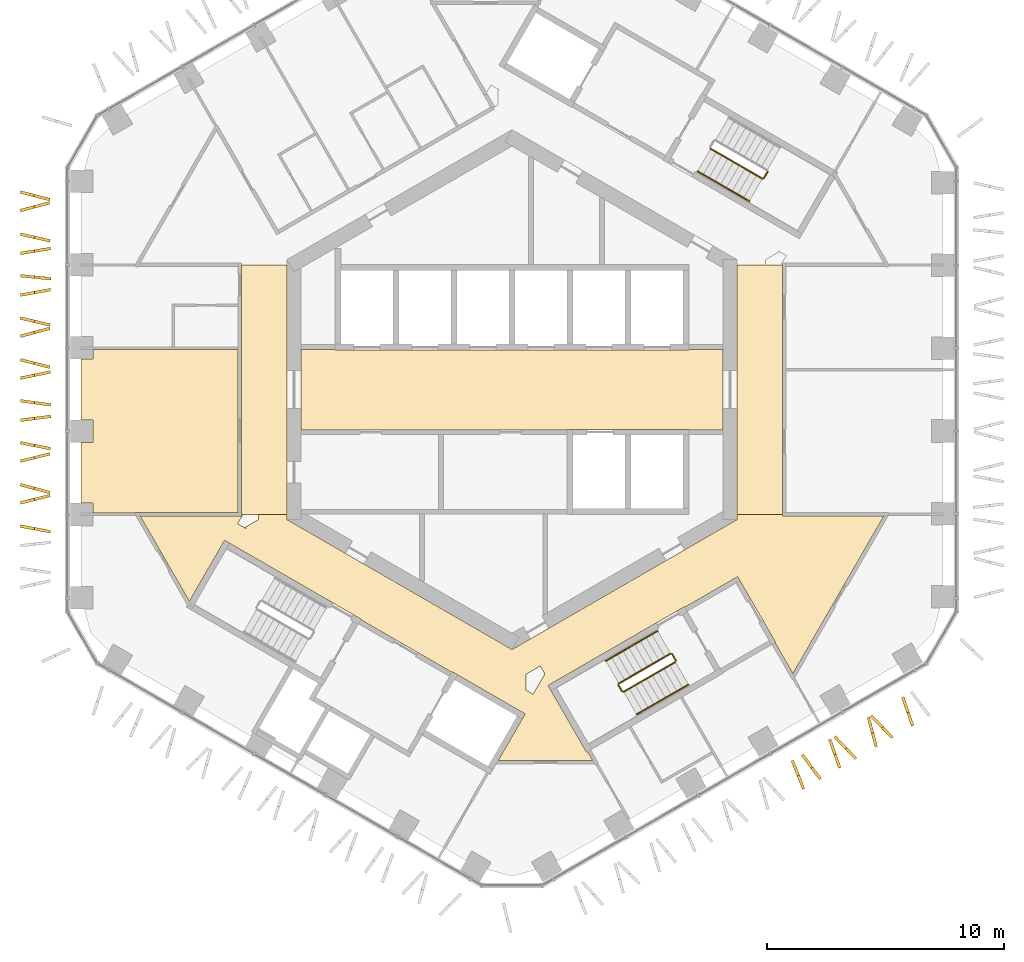
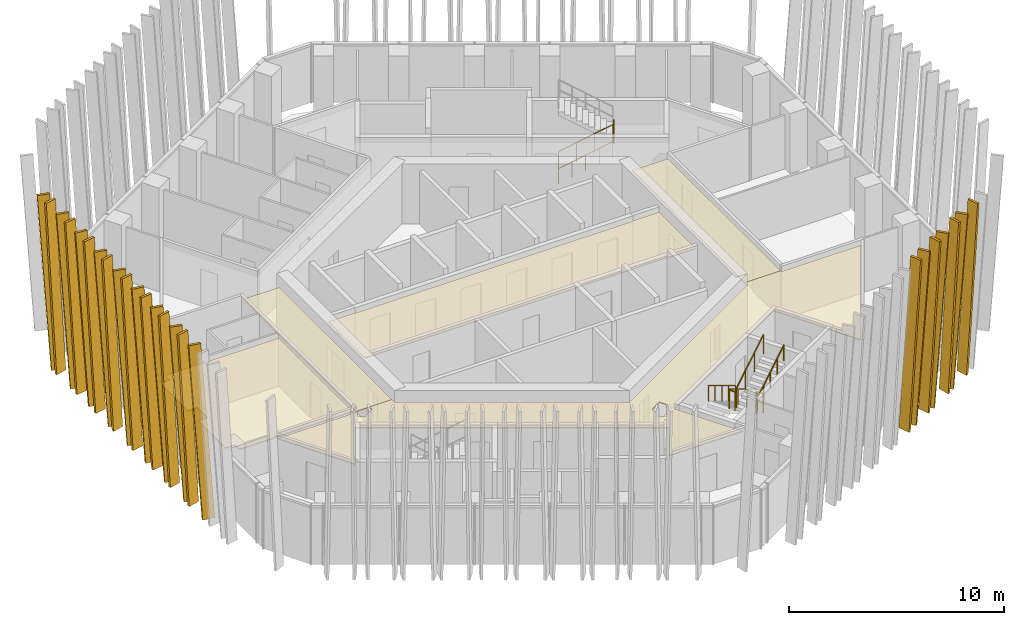
# One storey, part 19 of 21: 24 shading devices, 12 railings, 5 coverings.
"""IFC4 building model written with IfcOpenShell, lengths in metres."""

from ifc_helpers import new_model, si_unit, direction, frame, origin, origin_2d, place, context, subcontext, project, spatial, polyline, circle, outline, extrude, material, layer, layer_set, type_object, element, save


model = new_model("IFC4")

# Units and contexts
model_context = context("Model", 3, precision=1e-05, world=origin(), true_north=direction((0.0, 1.0)))
body_context = subcontext(model_context, "Body", "Model", "MODEL_VIEW")
ifc_project = project(units=[si_unit("LENGTHUNIT", "METRE"), si_unit("AREAUNIT", "SQUARE_METRE"), si_unit("VOLUMEUNIT", "CUBIC_METRE"), si_unit("PLANEANGLEUNIT", "RADIAN"), si_unit("MASSUNIT", "GRAM", prefix="KILO")], contexts=[model_context])

# Site, building, storey
site_placement = place(None, origin())
site = spatial("IfcSite", under=ifc_project, at=site_placement, CompositionType="ELEMENT")
building_placement = place(site_placement, origin())
building = spatial("IfcBuilding", under=site, at=building_placement, Name="Ayvan Gate Tower", CompositionType="ELEMENT")
storey_placement = place(building_placement, frame((0.0, 0.0, 152.699951171875)))
storey = spatial("IfcBuildingStorey", under=building, at=storey_placement, Name="L40", CompositionType="ELEMENT", Elevation=152.699951171875)

# Shading devices
ifc_material_1 = material(Name="Bronze anodised aluminium", Category="aluminium")
ifc_layer_1 = layer(ifc_material_1, 0.1201171875)
ifc_layer_set_1 = layer_set([ifc_layer_1], Name="Bronze anodised aluminium")
shading_device_type = type_object("IfcShadingDeviceType", Name="Bronze fin 600 x 120", PredefinedType="USERDEFINED", material=ifc_layer_set_1)
shading_device_1_placement = place(storey_placement, frame((-19.48779296875, 8.073486328125, 0.0), z_axis=(0.253100983947, 0.967439854235, 0.000142698094), x_axis=(-0.967439864085, 0.253100986525, -7.35e-09)))
element("IfcShadingDevice", 1, at=shading_device_1_placement, inside=storey, type_object=shading_device_type, Name="Bronze fin FG15.3.22", ObjectType="FIN", PredefinedType="USERDEFINED", context=body_context, shape_type="SweptSolid", body=[
    extrude(outline(polyline([(0.0, 0.0), (0.5998616627313711, -3.3881317890172014e-21), (1.2884129381110994, 10.080078237098515), (0.6883150840066606, 10.080078228279145), (0.0, 0.0)])), origin(), (0.0, 0.0, -1.0), 0.1201171875),
])
shading_device_2_placement = place(storey_placement, frame((-19.51904296875, 7.946533203125, 0.0), z_axis=(-0.255154257897, 0.966900345716, 0.000161652253), x_axis=(-0.966900358349, -0.255154261231, 0.0)))
element("IfcShadingDevice", 2, at=shading_device_2_placement, inside=storey, type_object=shading_device_type, Name="Bronze fin FG15.3.23", ObjectType="FIN", PredefinedType="USERDEFINED", context=body_context, shape_type="SweptSolid", body=[
    extrude(outline(polyline([(0.0, 0.0), (0.5999357844798227, 3.3881317890172014e-21), (1.2884234480918992, 10.080078256703537), (0.6884876636120767, 10.080078256703537), (0.0, 0.0)])), origin(), (0.0, 0.0, -1.0), 0.1201171875),
])
shading_device_3_placement = place(storey_placement, frame((-19.47802734375, 6.33544921875, 0.0), z_axis=(0.221409997531, 0.975180797948, 0.000155908983), x_axis=(-0.9751808098, 0.221410000222, 0.0)))
element("IfcShadingDevice", 3, at=shading_device_3_placement, inside=storey, type_object=shading_device_type, Name="Bronze fin FG15.3.24", ObjectType="FIN", PredefinedType="USERDEFINED", context=body_context, shape_type="SweptSolid", body=[
    extrude(outline(polyline([(0.0, 0.0), (0.5998486963869547, 3.3881317890172014e-21), (1.2882163203850765, 10.08007824751131), (0.6883676239981219, 10.08007824751131), (0.0, 0.0)])), origin(), (0.0, 0.0, -1.0), 0.1201171875),
])
shading_device_4_placement = place(storey_placement, frame((-19.482421875, 6.015380859375, 0.0), z_axis=(-0.158292031642, 0.987392325909, 0.000165693315), x_axis=(-0.987392339463, -0.158292033814, -5.335e-09)))
element("IfcShadingDevice", 4, at=shading_device_4_placement, inside=storey, type_object=shading_device_type, Name="Bronze fin FG15.3.25", ObjectType="FIN", PredefinedType="USERDEFINED", context=body_context, shape_type="SweptSolid", body=[
    extrude(outline(polyline([(0.0, 0.0), (0.600091994392418, 0.0), (1.2882344649545254, 10.080078270243698), (0.6883835331449842, 10.08007826384168), (0.0, 0.0)])), origin(), (0.0, 0.0, -1.0), 0.1201171875),
])
shading_device_5_placement = place(storey_placement, frame((-19.45556640625, 4.736572265625, 0.0), z_axis=(0.1025451186, 0.994728342931, 0.000149733801), x_axis=(-0.994728354082, 0.102545119749, 3.123e-09)))
element("IfcShadingDevice", 5, at=shading_device_5_placement, inside=storey, type_object=shading_device_type, Name="Bronze fin FG15.3.26", ObjectType="FIN", PredefinedType="USERDEFINED", context=body_context, shape_type="SweptSolid", body=[
    extrude(outline(polyline([(0.0, 0.0), (0.6000859853292091, 1.6940658945086007e-21), (1.2883753972067538, 10.080078233974595), (0.6885322654796158, 10.080078237722487), (0.0, 0.0)])), origin(), (0.0, 0.0, -1.0), 0.1201171875),
])
shading_device_6_placement = place(storey_placement, frame((-19.48828125, 4.279052734375, 0.0), z_axis=(-0.177184523139, 0.984177638284, 0.000145125193), x_axis=(-0.984177648648, -0.177184525009, 2.9054e-08)))
element("IfcShadingDevice", 6, at=shading_device_6_placement, inside=storey, type_object=shading_device_type, Name="Bronze fin FG15.3.27", ObjectType="FIN", PredefinedType="USERDEFINED", context=body_context, shape_type="SweptSolid", body=[
    extrude(outline(polyline([(0.0, 0.0), (0.60009233031793, 1.6940658945086007e-21), (1.2884683513300816, 10.080078193714526), (0.6884192789528275, 10.080078228583622), (0.0, 0.0)])), origin(), (0.0, 0.0, -1.0), 0.1201171875),
])
shading_device_7_placement = place(storey_placement, frame((-19.481201171875, 2.781982421875, 0.0), z_axis=(0.232518829993, 0.972591886438, 0.000127019666), x_axis=(-0.972591894285, 0.232518831865, 3.1135e-08)))
element("IfcShadingDevice", 7, at=shading_device_7_placement, inside=storey, type_object=shading_device_type, Name="Bronze fin FG15.3.28", ObjectType="FIN", PredefinedType="USERDEFINED", context=body_context, shape_type="SweptSolid", body=[
    extrude(outline(polyline([(0.0, 0.0), (0.6001551445872628, 0.0), (1.2884341023645014, 10.080078166200988), (0.6884596396772434, 10.080078203566641), (0.0, 0.0)])), origin(), (0.0, 0.0, -1.0), 0.1201171875),
])
shading_device_8_placement = place(storey_placement, frame((-19.520263671875, 2.642822265625, 0.0), z_axis=(-0.257966534418, 0.966153842232, 0.000142338607), x_axis=(-0.96615385202, -0.25796653703, -7.469e-09)))
element("IfcShadingDevice", 8, at=shading_device_8_placement, inside=storey, type_object=shading_device_type, Name="Bronze fin FG15.3.29", ObjectType="FIN", PredefinedType="USERDEFINED", context=body_context, shape_type="SweptSolid", body=[
    extrude(outline(polyline([(0.0, 0.0), (0.6001382282773703, 3.3881317890172014e-21), (1.2883608719476327, 10.080078236734977), (0.6884585210755406, 10.080078227772237), (0.0, 0.0)])), origin(), (0.0, 0.0, -1.0), 0.1201171875),
])
shading_device_9_placement = place(storey_placement, frame((-19.486083984375, 1.001708984375, 0.0), z_axis=(0.247988661203, 0.968762924241, 0.000143284322), x_axis=(-0.968762934187, 0.247988663745, 2.824e-08)))
element("IfcShadingDevice", 9, at=shading_device_9_placement, inside=storey, type_object=shading_device_type, Name="Bronze fin FG15.3.30", ObjectType="FIN", PredefinedType="USERDEFINED", context=body_context, shape_type="SweptSolid", body=[
    extrude(outline(polyline([(0.0, 0.0), (0.6000121197556565, 0.0), (1.2884238379559536, 10.080078192088791), (0.6883511740929374, 10.080078225979305), (0.0, 0.0)])), origin(), (0.0, 0.0, -1.0), 0.1201171875),
])
shading_device_10_placement = place(storey_placement, frame((-19.498046875, 0.805908203125, 0.0), z_axis=(-0.204482351041, 0.978870239658, 0.000148405088), x_axis=(-0.978870250438, -0.204482353289, -2.3388e-08)))
element("IfcShadingDevice", 10, at=shading_device_10_placement, inside=storey, type_object=shading_device_type, Name="Bronze fin FG15.3.31", ObjectType="FIN", PredefinedType="USERDEFINED", context=body_context, shape_type="SweptSolid", body=[
    extrude(outline(polyline([(0.0, 0.0), (0.5998127670057372, 3.3881317890172014e-21), (1.2882686428026684, 10.080078266132805), (0.6881669713526617, 10.08007823806865), (0.0, 0.0)])), origin(), (0.0, 0.0, -1.0), 0.1201171875),
])
shading_device_11_placement = place(storey_placement, frame((-19.459716796875, -0.585693359375, 0.0), z_axis=(0.136293206526, 0.990668531016, 0.000153325768), x_axis=(-0.990668542661, 0.136293208128, 0.0)))
element("IfcShadingDevice", 11, at=shading_device_11_placement, inside=storey, type_object=shading_device_type, Name="Bronze fin FG15.3.32", ObjectType="FIN", PredefinedType="USERDEFINED", context=body_context, shape_type="SweptSolid", body=[
    extrude(outline(polyline([(0.0, 0.0), (0.6000820620367548, 0.0), (1.288423551506328, 10.080078243485229), (0.6883414894695731, 10.080078243485229), (0.0, 0.0)])), origin(), (0.0, 0.0, -1.0), 0.1201171875),
])
shading_device_12_placement = place(storey_placement, frame((-19.47314453125, -1.070068359375, 0.0), z_axis=(-0.124911033517, 0.992167932349, 0.00016650316), x_axis=(-0.992167946103, -0.124911035248, -4.23e-09)))
element("IfcShadingDevice", 12, at=shading_device_12_placement, inside=storey, type_object=shading_device_type, Name="Bronze fin FG15.3.33", ObjectType="FIN", PredefinedType="USERDEFINED", context=body_context, shape_type="SweptSolid", body=[
    extrude(outline(polyline([(0.0, 0.0), (0.6001575459875874, 0.0), (1.2883764093414127, 10.080078270176712), (0.6884610918562917, 10.080078265100079), (0.0, 0.0)])), origin(), (0.0, 0.0, -1.0), 0.1201171875),
])
shading_device_13_placement = place(storey_placement, frame((-19.47119140625, -2.432861328125, 0.0), z_axis=(0.195724855459, 0.980658839202, 0.00014849227), x_axis=(-0.980658850014, 0.195724857617, 0.0)))
element("IfcShadingDevice", 13, at=shading_device_13_placement, inside=storey, type_object=shading_device_type, Name="Bronze fin FG15.3.34", ObjectType="FIN", PredefinedType="USERDEFINED", context=body_context, shape_type="SweptSolid", body=[
    extrude(outline(polyline([(0.0, 0.0), (0.5999832727166862, 0.0), (1.2885449939685552, 10.080078236132632), (0.6885617212518688, 10.080078236132632), (0.0, 0.0)])), origin(), (0.0, 0.0, -1.0), 0.1201171875),
])
shading_device_14_placement = place(storey_placement, frame((-19.513916015625, -2.64990234375, 0.0), z_axis=(-0.243349414767, 0.969938679093, 0.000145367677), x_axis=(-0.969938689341, -0.243349417339, 7.199e-09)))
element("IfcShadingDevice", 14, at=shading_device_14_placement, inside=storey, type_object=shading_device_type, Name="Bronze fin FG15.3.35", ObjectType="FIN", PredefinedType="USERDEFINED", context=body_context, shape_type="SweptSolid", body=[
    extrude(outline(polyline([(0.0, 0.0), (0.5998258906905788, 0.0), (1.2883538376380734, 10.080078222229815), (0.6882911455096674, 10.080078230868029), (0.0, 0.0)])), origin(), (0.0, 0.0, -1.0), 0.1201171875),
])
shading_device_15_placement = place(storey_placement, frame((-19.48974609375, -4.28564453125, 0.0), z_axis=(0.258776757555, 0.965937142195, 0.000164554121), x_axis=(-0.965937155273, 0.258776761059, 0.0)))
element("IfcShadingDevice", 15, at=shading_device_15_placement, inside=storey, type_object=shading_device_type, Name="Bronze fin FG15.3.36", ObjectType="FIN", PredefinedType="USERDEFINED", context=body_context, shape_type="SweptSolid", body=[
    extrude(outline(polyline([(0.0, 0.0), (0.6000285221314199, 0.0), (1.2883279230989633, 10.080078261474478), (0.6882994009675433, 10.080078261474478), (0.0, 0.0)])), origin(), (0.0, 0.0, -1.0), 0.1201171875),
])
shading_device_16_placement = place(storey_placement, frame((-19.51171875, -4.414306640625, 0.0), z_axis=(-0.238464135063, 0.971151294075, 0.000142498348), x_axis=(-0.971151303935, -0.238464137483, -6.913e-09)))
element("IfcShadingDevice", 16, at=shading_device_16_placement, inside=storey, type_object=shading_device_type, Name="Bronze fin FG15.3.37", ObjectType="FIN", PredefinedType="USERDEFINED", context=body_context, shape_type="SweptSolid", body=[
    extrude(outline(polyline([(0.0, 0.0), (0.6000679069965049, 0.0), (1.2882388951242483, 10.080078236247028), (0.6884080856140555, 10.080078227952587), (0.0, 0.0)])), origin(), (0.0, 0.0, -1.0), 0.1201171875),
])
shading_device_17_placement = place(storey_placement, frame((-19.468994140625, -5.939697265625, 0.0), z_axis=(0.186364123048, 0.98248073166, 0.000159868904), x_axis=(-0.982480744215, 0.186364125429, 6.06e-09)))
element("IfcShadingDevice", 17, at=shading_device_17_placement, inside=storey, type_object=shading_device_type, Name="Bronze fin FG15.3.38", ObjectType="FIN", PredefinedType="USERDEFINED", context=body_context, shape_type="SweptSolid", body=[
    extrude(outline(polyline([(0.0, 0.0), (0.6001088297669654, 0.0), (1.2883845557293379, 10.08007824600544), (0.6885155894253155, 10.08007825327787), (0.0, 0.0)])), origin(), (0.0, 0.0, -1.0), 0.1201171875),
])
shading_device_18_placement = place(storey_placement, frame((11.774169921875, -15.67431640625, 0.0), z_axis=(-0.930233803803, -0.366967369793, 0.00014060171), x_axis=(0.366967373418, -0.930233812999, -1.0494e-08)))
element("IfcShadingDevice", 18, at=shading_device_18_placement, inside=storey, type_object=shading_device_type, Name="Bronze fin FG15.7.76", ObjectType="FIN", PredefinedType="USERDEFINED", context=body_context, shape_type="SweptSolid", body=[
    extrude(outline(polyline([(0.0, 0.0), (0.600207348914012, -3.3881317890172014e-21), (1.2884051577885494, 10.080078238155815), (0.6884249167390395, 10.08007822556146), (0.0, 0.0)])), origin(), (0.0, 0.0, -1.0), 0.1201171875),
])
shading_device_19_placement = place(storey_placement, frame((12.198486328125, -15.439697265625, 0.0), z_axis=(-0.803744581553, -0.59497446999, 0.000166389257), x_axis=(0.594974478226, -0.803744592679, 0.0)))
element("IfcShadingDevice", 19, at=shading_device_19_placement, inside=storey, type_object=shading_device_type, Name="Bronze fin FG15.7.77", ObjectType="FIN", PredefinedType="USERDEFINED", context=body_context, shape_type="SweptSolid", body=[
    extrude(outline(polyline([(0.0, 0.0), (0.599914125416545, 1.3552527156068805e-20), (1.2882472102536546, 10.080078264535421), (0.6883330848371098, 10.080078264535421), (0.0, 0.0)])), origin(), (0.0, 0.0, -1.0), 0.1201171875),
])
shading_device_20_placement = place(storey_placement, frame((13.350830078125, -14.77294921875, 0.0), z_axis=(-0.944070631063, -0.329743265019, 0.000150791078), x_axis=(0.329743268774, -0.944070641795, 3.9078e-08)))
element("IfcShadingDevice", 20, at=shading_device_20_placement, inside=storey, type_object=shading_device_type, Name="Bronze fin FG15.7.78", ObjectType="FIN", PredefinedType="USERDEFINED", context=body_context, shape_type="SweptSolid", body=[
    extrude(outline(polyline([(0.0, 0.0), (0.6000160351413332, 1.0164395367051604e-20), (1.2883801652478903, 10.080078189253248), (0.6882141478377533, 10.080078236153584), (0.0, 0.0)])), origin(), (0.0, 0.0, -1.0), 0.1201171875),
])
shading_device_21_placement = place(storey_placement, frame((13.578857421875, -14.690185546875, 0.0), z_axis=(-0.722000899963, -0.691892099401, 0.000152440417), x_axis=(0.691892107441, -0.722000908352, 9.33e-10)))
element("IfcShadingDevice", 21, at=shading_device_21_placement, inside=storey, type_object=shading_device_type, Name="Bronze fin FG15.7.79", ObjectType="FIN", PredefinedType="USERDEFINED", context=body_context, shape_type="SweptSolid", body=[
    extrude(outline(polyline([(0.0, 0.0), (0.6002099821976611, 0.0), (1.2884504493487379, 10.080078240918107), (0.6885856558756356, 10.080078242038342), (0.0, 0.0)])), origin(), (0.0, 0.0, -1.0), 0.1201171875),
])
shading_device_22_placement = place(storey_placement, frame((14.984375, -13.853515625, 0.0), z_axis=(-0.965937143157, -0.258776757813, 0.000158385066), x_axis=(0.258776761059, -0.965937155273, 0.0)))
element("IfcShadingDevice", 22, at=shading_device_22_placement, inside=storey, type_object=shading_device_type, Name="Bronze fin FG15.7.80", ObjectType="FIN", PredefinedType="USERDEFINED", context=body_context, shape_type="SweptSolid", body=[
    extrude(outline(polyline([(0.0, 0.0), (0.6000285221314199, 3.3881317890172014e-21), (1.2884417625589109, 10.080078251433559), (0.688413240427491, 10.080078251433559), (0.0, 0.0)])), origin(), (0.0, 0.0, -1.0), 0.1201171875),
])
shading_device_23_placement = place(storey_placement, frame((15.114501953125, -13.805908203125, 0.0), z_axis=(-0.718608693893, -0.695414642052, 0.000143811211), x_axis=(0.695414649243, -0.718608701324, 0.0)))
element("IfcShadingDevice", 23, at=shading_device_23_placement, inside=storey, type_object=shading_device_type, Name="Bronze fin FG15.7.81", ObjectType="FIN", PredefinedType="USERDEFINED", context=body_context, shape_type="SweptSolid", body=[
    extrude(outline(polyline([(0.0, 0.0), (0.5999820805893713, -6.776263578034403e-21), (1.2883406205891652, 10.080078229236397), (0.688358539999794, 10.080078229236397), (0.0, 0.0)])), origin(), (0.0, 0.0, -1.0), 0.1201171875),
])
shading_device_24_placement = place(storey_placement, frame((16.435791015625, -12.99365234375, 0.0), z_axis=(-0.946380191382, -0.323054975046, 0.00012828514), x_axis=(0.323054977705, -0.94638019917, 0.0)))
element("IfcShadingDevice", 24, at=shading_device_24_placement, inside=storey, type_object=shading_device_type, Name="Bronze fin FG15.7.82", ObjectType="FIN", PredefinedType="USERDEFINED", context=body_context, shape_type="SweptSolid", body=[
    extrude(outline(polyline([(0.0, 0.0), (0.6000454090737131, 0.0), (1.2885010611153929, 10.080078207944313), (0.6884556520416798, 10.080078207944313), (0.0, 0.0)])), origin(), (0.0, 0.0, -1.0), 0.1201171875),
])

# Coverings
ifc_material_2 = material(Name="Plasterboard suspended ceiling")
ifc_layer_2 = layer(ifc_material_2, 0.050048828125)
ifc_layer_set_2 = layer_set([ifc_layer_2], Name="Plasterboard suspended ceiling")
covering_type = type_object("IfcCoveringType", Name="CT-SUSP-50", PredefinedType="CEILING", material=ifc_layer_set_2)
covering_1_placement = place(storey_placement, frame((0.0, 0.0, 2.699951171875)))
element("IfcCovering", 25, at=covering_1_placement, inside=storey, type_object=covering_type, Name="Ceiling Lift Lobby L40", PredefinedType="CEILING", context=body_context, shape_type="SweptSolid", body=[
    extrude(outline(polyline([(7.47509765625, -1.675048828125), (2.324951171875, -1.675048828125), (2.324951171875, -1.699951171875), (-8.89990234375, -1.699951171875), (-8.89990234375, 1.699951171875), (-7.47509765625, 1.699951171875), (-7.47509765625, 1.675048828125), (7.47509765625, 1.675048828125), (7.47509765625, 1.699951171875), (8.89990234375, 1.699951171875), (8.89990234375, -1.699951171875), (7.47509765625, -1.699951171875), (7.47509765625, -1.675048828125)])), origin(), (0.0, 0.0, 1.0), 0.050048828125),
])
covering_2_placement = place(storey_placement, frame((0.0, 0.0, 2.699951171875)))
element("IfcCovering", 26, at=covering_2_placement, inside=storey, type_object=covering_type, Name="Ceiling Gallery L40", PredefinedType="CEILING", context=body_context, shape_type="SweptSolid", body=[
    extrude(outline(polyline([(-11.914794921875, -6.48681640625), (-12.131103515625, -6.36181640625), (-13.617431640625, -8.935791015625), (-15.69580078125, -5.335693359375), (-11.4248046875, -5.335693359375), (-11.4248046875, -5.2607421875), (-11.351318359375, -5.2607421875), (-11.39453125, -5.335693359375), (-11.396240234375, -5.3388671875), (-11.421142578125, -5.382080078125), (-11.580322265625, -5.65771484375), (-11.2294921875, -5.8603515625), (-11.259765625, -5.80810546875), (-10.699951171875, -5.48486328125), (-10.699951171875, -5.2607421875), (-9.5, -5.2607421875), (-9.5, -5.48486328125), (0.0, -10.9697265625), (8.38720703125, -6.127197265625), (9.5, -5.48486328125), (9.5, -5.2607421875), (11.4248046875, -5.2607421875), (11.4248046875, -5.335693359375), (15.69580078125, -5.335693359375), (11.8564453125, -11.98583984375), (11.102294921875, -10.6796875), (11.123779296875, -10.667236328125), (9.623779296875, -8.069091796875), (9.52392578125, -7.89599609375), (7.2939453125, -9.183349609375), (7.281494140625, -9.16162109375), (1.522216796875, -12.48681640625), (1.647216796875, -12.703369140625), (3.147216796875, -15.30126953125), (3.190673828125, -15.2763671875), (3.41259765625, -15.660888671875), (-0.58349609375, -15.660888671875), (0.43115234375, -13.9033203125), (0.55615234375, -13.686767578125), (-2.284423828125, -12.046630859375), (-2.518310546875, -11.91162109375), (-2.53076171875, -11.933349609375), (-6.384521484375, -9.70849609375), (-6.3720703125, -9.686767578125), (-11.91455078125, -6.48681640625), (-11.914794921875, -6.48681640625)]), holes=[polyline([(0.53955078125, -12.6552734375), (0.890380859375, -12.85791015625), (1.385498046875, -12.0), (1.193115234375, -11.66650390625), (0.60009765625, -12.0087890625), (0.60009765625, -12.6552734375), (0.53955078125, -12.6552734375)])]), origin(), (0.0, 0.0, 1.0), 0.050048828125),
])
covering_3_placement = place(storey_placement, frame((0.0, 0.0, 2.699951171875)))
element("IfcCovering", 27, at=covering_3_placement, inside=storey, type_object=covering_type, Name="Ceiling Lift Lounge Lobby L40", PredefinedType="CEILING", context=body_context, shape_type="SweptSolid", body=[
    extrude(outline(polyline([(11.4248046875, -5.2607421875), (9.5, -5.2607421875), (9.5, 5.2607421875), (11.425048828125, 5.2607421875), (11.425048828125, -5.185791015625), (11.4248046875, -5.185791015625), (11.4248046875, -5.2607421875)])), origin(), (0.0, 0.0, 1.0), 0.050048828125),
])
covering_4_placement = place(storey_placement, frame((0.0, 0.0, 2.699951171875)))
element("IfcCovering", 28, at=covering_4_placement, inside=storey, type_object=covering_type, Name="Ceiling Lift Lounge Lobby L40", PredefinedType="CEILING", context=body_context, shape_type="SweptSolid", body=[
    extrude(outline(polyline([(-11.4248046875, -5.185791015625), (-11.425048828125, 5.2607421875), (-9.5, 5.2607421875), (-9.5, -5.2607421875), (-11.4248046875, -5.2607421875), (-11.4248046875, -5.185791015625)])), origin(), (0.0, 0.0, 1.0), 0.050048828125),
])
covering_5_placement = place(storey_placement, frame((0.0, 0.0, 2.699951171875)))
element("IfcCovering", 29, at=covering_5_placement, inside=storey, type_object=covering_type, Name="Ceiling Shared Kitchen L40", PredefinedType="CEILING", context=body_context, shape_type="SweptSolid", body=[
    extrude(outline(polyline([(-17.681884765625, -2.23193359375), (-17.681884765625, -1.281982421875), (-18.1865234375, -1.281982421875), (-18.1865234375, 1.281982421875), (-17.681884765625, 1.281982421875), (-17.681884765625, 1.70361328125), (-11.574951171875, 1.70361328125), (-11.574951171875, -5.185791015625), (-15.90087890625, -5.185791015625), (-15.90087890625, -5.210693359375), (-17.681884765625, -5.210693359375), (-17.681884765625, -4.7958984375), (-18.1865234375, -4.7958984375), (-18.1865234375, -2.23193359375), (-17.681884765625, -2.23193359375)])), origin(), (0.0, 0.0, 1.0), 0.050048828125),
])

# Railings
ifc_material_3 = material(Name="Stainless steel balustrade", Category="steel")
railing_type_1 = type_object("IfcRailingType", Name="RL-GUARD-1100", PredefinedType="GUARDRAIL", material=ifc_material_3)
railing_1_placement = place(storey_placement, frame((8.381103515625, 10.16650390625, 0.170166015625)))
element("IfcRailing", 30, at=railing_1_placement, inside=storey, type_object=railing_type_1, Name="L40 STS1 stair guard 1", PredefinedType="GUARDRAIL", context=body_context, shape_type="SweptSolid", body=[
    extrude(circle(Radius=0.02392578125, at=origin_2d()), frame((0.0, 0.0, 1.076171875), z_axis=(0.740292969978, -0.427413806696, 0.51892557891), x_axis=(0.500004791531, 0.866022637375, 0.0)), (0.0, 0.0, 1.0), 2.947998046875),
    extrude(circle(Radius=0.02099609375, at=origin_2d()), origin(), (0.0, 0.0, 1.0), 1.052001953125),
    extrude(circle(Radius=0.02099609375, at=origin_2d()), frame((0.7275390625, -0.419921875, 0.510009765625)), (0.0, 0.0, 1.0), 1.052001953125),
    extrude(circle(Radius=0.02099609375, at=origin_2d()), frame((1.454833984375, -0.840087890625, 1.019775390625)), (0.0, 0.0, 1.0), 1.052001953125),
    extrude(circle(Radius=0.02099609375, at=origin_2d()), frame((2.182373046875, -1.260009765625, 1.52978515625)), (0.0, 0.0, 1.0), 1.052001953125),
])
railing_2_placement = place(storey_placement, frame((10.6318359375, 8.9248046875, 1.699951171875)))
element("IfcRailing", 31, at=railing_2_placement, inside=storey, type_object=railing_type_1, Name="L40 STS1 stair guard 2", PredefinedType="GUARDRAIL", context=body_context, shape_type="SweptSolid", body=[
    extrude(circle(Radius=0.02392578125, at=origin_2d()), frame((0.0, 0.0, 1.076171875), z_axis=(0.499949632511, 0.866054481515, 0.0), x_axis=(-0.866054481515, 0.499949632511, 0.0)), (0.0, 0.0, 1.0), 0.31005859375),
    extrude(circle(Radius=0.02099609375, at=origin_2d()), origin(), (0.0, 0.0, 1.0), 1.052001953125),
    extrude(circle(Radius=0.02099609375, at=origin_2d()), frame((0.155029296875, 0.2685546875, 0.0)), (0.0, 0.0, 1.0), 1.052001953125),
])
railing_3_placement = place(storey_placement, frame((6.6923828125, -11.1416015625, 0.170166015625)))
element("IfcRailing", 32, at=railing_3_placement, inside=storey, type_object=railing_type_1, Name="L40 STS3 stair guard 1", PredefinedType="GUARDRAIL", context=body_context, shape_type="SweptSolid", body=[
    extrude(circle(Radius=0.02392578125, at=origin_2d()), frame((0.0, 0.0, 1.076171875), z_axis=(-0.740292969978, -0.427413806696, 0.51892557891), x_axis=(0.500004791531, -0.866022637375, 0.0)), (0.0, 0.0, 1.0), 2.947998046875),
    extrude(circle(Radius=0.02099609375, at=origin_2d()), origin(), (0.0, 0.0, 1.0), 1.052001953125),
    extrude(circle(Radius=0.02099609375, at=origin_2d()), frame((-0.7275390625, -0.419921875, 0.510009765625)), (0.0, 0.0, 1.0), 1.052001953125),
    extrude(circle(Radius=0.02099609375, at=origin_2d()), frame((-1.454833984375, -0.840087890625, 1.019775390625)), (0.0, 0.0, 1.0), 1.052001953125),
    extrude(circle(Radius=0.02099609375, at=origin_2d()), frame((-2.182373046875, -1.260009765625, 1.52978515625)), (0.0, 0.0, 1.0), 1.052001953125),
])
railing_4_placement = place(storey_placement, frame((4.49169921875, -12.4697265625, 1.699951171875)))
element("IfcRailing", 33, at=railing_4_placement, inside=storey, type_object=railing_type_1, Name="L40 STS3 stair guard 2", PredefinedType="GUARDRAIL", context=body_context, shape_type="SweptSolid", body=[
    extrude(circle(Radius=0.02392578125, at=origin_2d()), frame((0.0, 0.0, 1.076171875), z_axis=(0.499949632511, -0.866054481515, 0.0), x_axis=(0.866054481515, 0.499949632511, 0.0)), (0.0, 0.0, 1.0), 0.31005859375),
    extrude(circle(Radius=0.02099609375, at=origin_2d()), origin(), (0.0, 0.0, 1.0), 1.052001953125),
    extrude(circle(Radius=0.02099609375, at=origin_2d()), frame((0.155029296875, -0.2685546875, 0.0)), (0.0, 0.0, 1.0), 1.052001953125),
])
railing_5_placement = place(storey_placement, frame((4.715087890625, -12.756591796875, 1.8701171875)))
element("IfcRailing", 34, at=railing_5_placement, inside=storey, type_object=railing_type_1, Name="L40 STS3 stair guard 3", PredefinedType="GUARDRAIL", context=body_context, shape_type="SweptSolid", body=[
    extrude(circle(Radius=0.02392578125, at=origin_2d()), frame((0.0, 0.0, 1.076171875), z_axis=(0.740261155115, 0.427395438142, 0.518986090067), x_axis=(-0.500004791531, 0.866022637375, 0.0)), (0.0, 0.0, 1.0), 2.947998046875),
    extrude(circle(Radius=0.02099609375, at=origin_2d()), origin(), (0.0, 0.0, 1.0), 1.052001953125),
    extrude(circle(Radius=0.02099609375, at=origin_2d()), frame((0.7275390625, 0.419921875, 0.510009765625)), (0.0, 0.0, 1.0), 1.052001953125),
    extrude(circle(Radius=0.02099609375, at=origin_2d()), frame((1.454833984375, 0.840087890625, 1.02001953125)), (0.0, 0.0, 1.0), 1.052001953125),
    extrude(circle(Radius=0.02099609375, at=origin_2d()), frame((2.182373046875, 1.260009765625, 1.530029296875)), (0.0, 0.0, 1.0), 1.052001953125),
])
railing_6_placement = place(storey_placement, frame((6.7607421875, -11.159912109375, 0.0)))
element("IfcRailing", 35, at=railing_6_placement, inside=storey, type_object=railing_type_1, Name="L40 STS3 stair guard 4", PredefinedType="GUARDRAIL", context=body_context, shape_type="SweptSolid", body=[
    extrude(circle(Radius=0.02392578125, at=origin_2d()), frame((0.0, 0.0, 1.076171875), z_axis=(0.500290723946, -0.86585748916, 0.0), x_axis=(0.86585748916, 0.500290723946, 0.0)), (0.0, 0.0, 1.0), 0.309814453125),
    extrude(circle(Radius=0.02099609375, at=origin_2d()), origin(), (0.0, 0.0, 1.0), 1.052001953125),
    extrude(circle(Radius=0.02099609375, at=origin_2d()), frame((0.155029296875, -0.268310546875, 0.0)), (0.0, 0.0, 1.0), 1.052001953125),
])
railing_type_2 = type_object("IfcRailingType", Name="RL-HANDRAIL-900", PredefinedType="HANDRAIL", material=ifc_material_3)
railing_7_placement = place(storey_placement, frame((7.8310546875, 9.2138671875, 0.170166015625)))
element("IfcRailing", 36, at=railing_7_placement, inside=storey, type_object=railing_type_2, Name="L40 STS1 stair handrail 1", PredefinedType="HANDRAIL", context=body_context, shape_type="SweptSolid", body=[
    extrude(circle(Radius=0.02392578125, at=origin_2d()), frame((0.0, 0.0, 0.8759765625), z_axis=(0.740356597536, -0.427319915356, 0.518912129772), x_axis=(0.499890179513, 0.866088799389, 0.0)), (0.0, 0.0, 1.0), 1.47412109375),
    extrude(circle(Radius=0.02099609375, at=origin_2d()), origin(), (0.0, 0.0, 1.0), 0.851806640625),
    extrude(circle(Radius=0.02099609375, at=origin_2d()), frame((0.545654296875, -0.31494140625, 0.38232421875)), (0.0, 0.0, 1.0), 0.851806640625),
    extrude(circle(Radius=0.02099609375, at=origin_2d()), frame((1.09130859375, -0.6298828125, 0.764892578125)), (0.0, 0.0, 1.0), 0.851806640625),
])
railing_8_placement = place(storey_placement, frame((8.92236328125, 8.583984375, 0.93505859375)))
element("IfcRailing", 37, at=railing_8_placement, inside=storey, type_object=railing_type_2, Name="L40 STS1 stair handrail 2", PredefinedType="HANDRAIL", context=body_context, shape_type="SweptSolid", body=[
    extrude(circle(Radius=0.02392578125, at=origin_2d()), frame((0.0, 0.0, 0.8759765625), z_axis=(0.740229329464, -0.427507697325, 0.518939021976), x_axis=(0.50011940292, 0.865956455501, 0.0)), (0.0, 0.0, 1.0), 1.473876953125),
    extrude(circle(Radius=0.02099609375, at=origin_2d()), origin(), (0.0, 0.0, 1.0), 0.851806640625),
    extrude(circle(Radius=0.02099609375, at=origin_2d()), frame((0.54541015625, -0.31494140625, 0.38232421875)), (0.0, 0.0, 1.0), 0.851806640625),
    extrude(circle(Radius=0.02099609375, at=origin_2d()), frame((1.091064453125, -0.630126953125, 0.764892578125)), (0.0, 0.0, 1.0), 0.851806640625),
])
railing_9_placement = place(storey_placement, frame((6.142333984375, -10.18896484375, 0.170166015625)))
element("IfcRailing", 38, at=railing_9_placement, inside=storey, type_object=railing_type_2, Name="L40 STS3 stair handrail 1", PredefinedType="HANDRAIL", context=body_context, shape_type="SweptSolid", body=[
    extrude(circle(Radius=0.02392578125, at=origin_2d()), frame((0.0, 0.0, 0.8759765625), z_axis=(-0.740281741151, -0.427372318678, 0.518975765278), x_axis=(0.499974077718, -0.866040369504, 0.0)), (0.0, 0.0, 1.0), 1.473876953125),
    extrude(circle(Radius=0.02099609375, at=origin_2d()), origin(), (0.0, 0.0, 1.0), 0.851806640625),
    extrude(circle(Radius=0.02099609375, at=origin_2d()), frame((-0.54541015625, -0.31494140625, 0.38232421875)), (0.0, 0.0, 1.0), 0.851806640625),
    extrude(circle(Radius=0.02099609375, at=origin_2d()), frame((-1.091064453125, -0.6298828125, 0.764892578125)), (0.0, 0.0, 1.0), 0.851806640625),
])
railing_10_placement = place(storey_placement, frame((5.05126953125, -10.81884765625, 0.93505859375)))
element("IfcRailing", 39, at=railing_10_placement, inside=storey, type_object=railing_type_2, Name="L40 STS3 stair handrail 2", PredefinedType="HANDRAIL", context=body_context, shape_type="SweptSolid", body=[
    extrude(circle(Radius=0.02392578125, at=origin_2d()), frame((0.0, 0.0, 0.8759765625), z_axis=(-0.740304193401, -0.427455284825, 0.518875399983), x_axis=(0.500035496587, -0.86600490885, 0.0)), (0.0, 0.0, 1.0), 1.47412109375),
    extrude(circle(Radius=0.02099609375, at=origin_2d()), origin(), (0.0, 0.0, 1.0), 0.851806640625),
    extrude(circle(Radius=0.02099609375, at=origin_2d()), frame((-0.545654296875, -0.31494140625, 0.38232421875)), (0.0, 0.0, 1.0), 0.851806640625),
    extrude(circle(Radius=0.02099609375, at=origin_2d()), frame((-1.09130859375, -0.630126953125, 0.764892578125)), (0.0, 0.0, 1.0), 0.851806640625),
])
railing_11_placement = place(storey_placement, frame((5.264892578125, -13.709228515625, 1.8701171875)))
element("IfcRailing", 40, at=railing_11_placement, inside=storey, type_object=railing_type_2, Name="L40 STS3 stair handrail 3", PredefinedType="HANDRAIL", context=body_context, shape_type="SweptSolid", body=[
    extrude(circle(Radius=0.02392578125, at=origin_2d()), frame((0.0, 0.0, 0.8759765625), z_axis=(0.740304193401, 0.427455284825, 0.518875399983), x_axis=(-0.500035496587, 0.86600490885, 0.0)), (0.0, 0.0, 1.0), 1.47412109375),
    extrude(circle(Radius=0.02099609375, at=origin_2d()), origin(), (0.0, 0.0, 1.0), 0.851806640625),
    extrude(circle(Radius=0.02099609375, at=origin_2d()), frame((0.545654296875, 0.31494140625, 0.38232421875)), (0.0, 0.0, 1.0), 0.851806640625),
    extrude(circle(Radius=0.02099609375, at=origin_2d()), frame((1.09130859375, 0.630126953125, 0.764892578125)), (0.0, 0.0, 1.0), 0.851806640625),
])
railing_12_placement = place(storey_placement, frame((6.356201171875, -13.0791015625, 2.635009765625)))
element("IfcRailing", 41, at=railing_12_placement, inside=storey, type_object=railing_type_2, Name="L40 STS3 stair handrail 4", PredefinedType="HANDRAIL", context=body_context, shape_type="SweptSolid", body=[
    extrude(circle(Radius=0.02392578125, at=origin_2d()), frame((0.0, 0.0, 0.8759765625), z_axis=(0.740218099111, 0.427335577468, 0.519096782863), x_axis=(-0.499974077718, 0.866040369504, 0.0)), (0.0, 0.0, 1.0), 1.473876953125),
    extrude(circle(Radius=0.02099609375, at=origin_2d()), origin(), (0.0, 0.0, 1.0), 0.851806640625),
    extrude(circle(Radius=0.02099609375, at=origin_2d()), frame((0.54541015625, 0.31494140625, 0.382568359375)), (0.0, 0.0, 1.0), 0.851806640625),
    extrude(circle(Radius=0.02099609375, at=origin_2d()), frame((1.091064453125, 0.6298828125, 0.76513671875)), (0.0, 0.0, 1.0), 0.851806640625),
])

save(model, "model.ifc")
